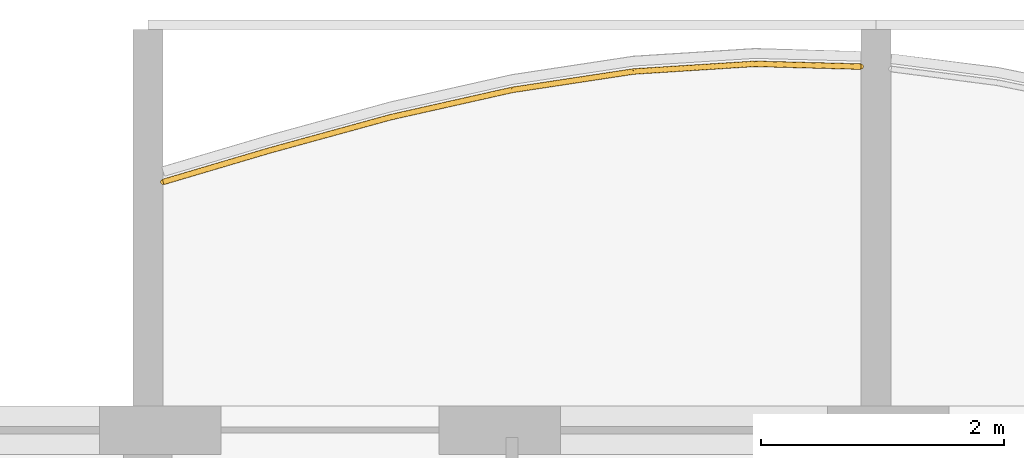
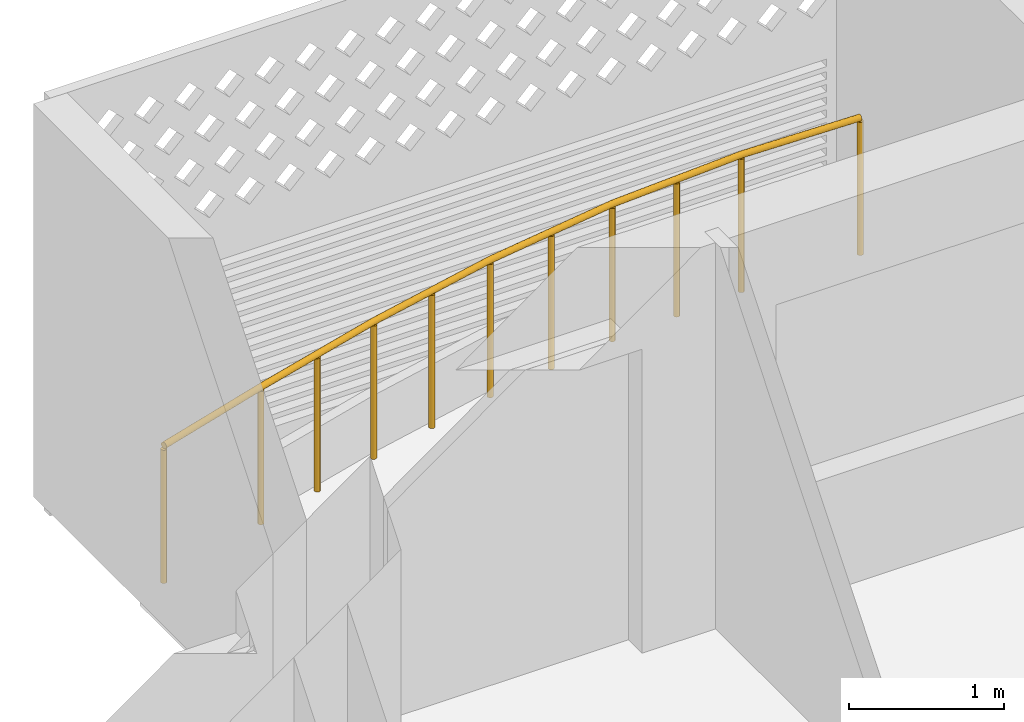
# One storey, part 25 of 39: 1 railing.
"""IFC4 building model written with IfcOpenShell, lengths in metres."""

from ifc_helpers import new_model, si_unit, direction, frame, origin, origin_2d, place, context, subcontext, project, spatial, circle, extrude, material, type_object, element, save


model = new_model("IFC4")

# Units and contexts
model_context = context("Model", 3, precision=1e-05, world=origin(), true_north=direction((0.0, 1.0)))
body_context = subcontext(model_context, "Body", "Model", "MODEL_VIEW")
ifc_project = project(units=[si_unit("LENGTHUNIT", "METRE"), si_unit("AREAUNIT", "SQUARE_METRE"), si_unit("VOLUMEUNIT", "CUBIC_METRE"), si_unit("PLANEANGLEUNIT", "RADIAN"), si_unit("MASSUNIT", "GRAM", prefix="KILO")], contexts=[model_context])

# Site, building, storey
site_placement = place(None, origin())
site = spatial("IfcSite", under=ifc_project, at=site_placement, CompositionType="ELEMENT")
building_placement = place(site_placement, origin())
building = spatial("IfcBuilding", under=site, at=building_placement, Name="Poui Terraces", CompositionType="ELEMENT")
storey_placement = place(building_placement, frame((0.0, 0.0, 59.699951171875)))
storey = spatial("IfcBuildingStorey", under=building, at=storey_placement, Name="L16", CompositionType="ELEMENT", Elevation=59.699951171875)

# Railing
ifc_material = material(Name="Painted steel fretwork", Category="steel")
railing_type = type_object("IfcRailingType", Name="BALCONY GUARD 1100", PredefinedType="GUARDRAIL", material=ifc_material)
railing_placement = place(storey_placement, frame((36.125, 46.84521484375, 0.0)))
element("IfcRailing", 1, at=railing_placement, inside=storey, type_object=railing_type, Name="BALCONY GUARD", PredefinedType="GUARDRAIL", context=body_context, shape_type="SweptSolid", body=[
    extrude(circle(Radius=0.02392578125, at=origin_2d()), frame((0.0, 0.0, 1.076171875), z_axis=(0.958865561228, 0.283860591647, 0.0), x_axis=(-0.283860591647, 0.958865561228, 0.0)), (0.0, 0.0, 1.0), 0.91259765625),
    extrude(circle(Radius=0.02392578125, at=origin_2d()), frame((0.875, 0.259033203125, 1.076171875), z_axis=(0.964289609145, 0.26485005134, 0.0), x_axis=(-0.26485005134, 0.964289609145, 0.0)), (0.0, 0.0, 1.0), 1.037109375),
    extrude(circle(Radius=0.02392578125, at=origin_2d()), frame((1.875, 0.53369140625, 1.076171875), z_axis=(0.975691310659, 0.21914941548, 0.0), x_axis=(-0.21914941548, 0.975691310659, 0.0)), (0.0, 0.0, 1.0), 1.02490234375),
    extrude(circle(Radius=0.02392578125, at=origin_2d()), frame((2.875, 0.75830078125, 1.076171875), z_axis=(0.988665614785, 0.15013428037, 0.0), x_axis=(-0.15013428037, 0.988665614785, 0.0)), (0.0, 0.0, 1.0), 1.011474609375),
    extrude(circle(Radius=0.02392578125, at=origin_2d()), frame((3.875, 0.91015625, 1.076171875), z_axis=(0.998006805525, 0.063106387361, 0.0), x_axis=(-0.063106387361, 0.998006805525, 0.0)), (0.0, 0.0, 1.0), 1.001953125),
    extrude(circle(Radius=0.02392578125, at=origin_2d()), frame((4.875, 0.973388671875, 1.076171875), z_axis=(0.999663503425, -0.025939929079, 0.0), x_axis=(0.025939929079, 0.999663503425, 0.0)), (0.0, 0.0, 1.0), 0.875244140625),
    extrude(circle(Radius=0.02099609375, at=origin_2d()), origin(), (0.0, 0.0, 1.0), 1.052001953125),
    extrude(circle(Radius=0.02099609375, at=origin_2d()), frame((0.875, 0.259033203125, 0.0)), (0.0, 0.0, 1.0), 1.052001953125),
    extrude(circle(Radius=0.02099609375, at=origin_2d()), frame((1.375, 0.396484375, 0.0)), (0.0, 0.0, 1.0), 1.052001953125),
    extrude(circle(Radius=0.02099609375, at=origin_2d()), frame((1.875, 0.53369140625, 0.0)), (0.0, 0.0, 1.0), 1.052001953125),
    extrude(circle(Radius=0.02099609375, at=origin_2d()), frame((2.375, 0.64599609375, 0.0)), (0.0, 0.0, 1.0), 1.052001953125),
    extrude(circle(Radius=0.02099609375, at=origin_2d()), frame((2.875, 0.75830078125, 0.0)), (0.0, 0.0, 1.0), 1.052001953125),
    extrude(circle(Radius=0.02099609375, at=origin_2d()), frame((3.375, 0.834228515625, 0.0)), (0.0, 0.0, 1.0), 1.052001953125),
    extrude(circle(Radius=0.02099609375, at=origin_2d()), frame((3.875, 0.91015625, 0.0)), (0.0, 0.0, 1.0), 1.052001953125),
    extrude(circle(Radius=0.02099609375, at=origin_2d()), frame((4.375, 0.94189453125, 0.0)), (0.0, 0.0, 1.0), 1.052001953125),
    extrude(circle(Radius=0.02099609375, at=origin_2d()), frame((4.875, 0.973388671875, 0.0)), (0.0, 0.0, 1.0), 1.052001953125),
    extrude(circle(Radius=0.02099609375, at=origin_2d()), frame((5.75, 0.95068359375, 0.0)), (0.0, 0.0, 1.0), 1.052001953125),
])

save(model, "model.ifc")
